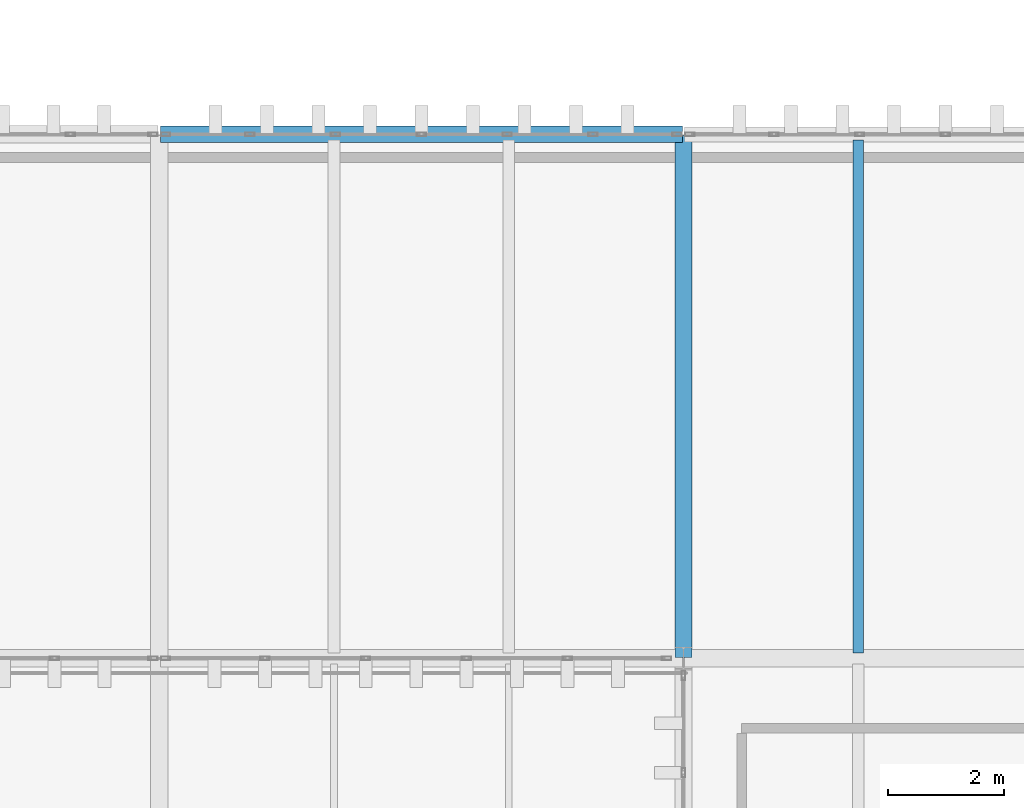
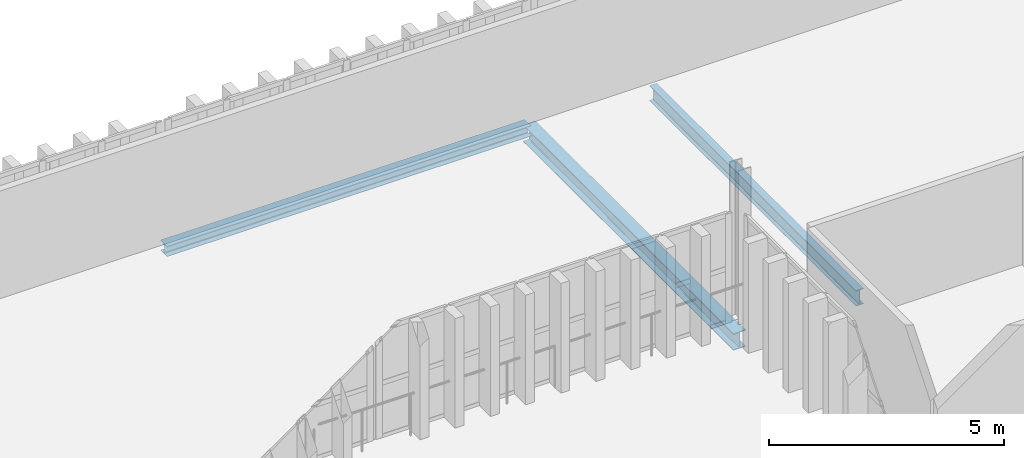
# One storey, part 43 of 102: 3 beams.
"""IFC4 building model written with IfcOpenShell, lengths in metres."""

import ifcopenshell
import ifcopenshell.guid

model = None  # the IFC model being written
_history = None  # IfcOwnerHistory: only IFC2X3 demands one
_inside = {}  # id of a spatial element -> (the spatial element, [elements in it])
_under = {}  # id of a project, library or spatial element -> (it, [spatial elements below it])
_declared = {}  # id of a project -> (the project, [libraries it declares])
_typed = {}  # id of a type object -> (the type object, [elements of that type])
_made_of = {}  # id of a material, layer set ... -> (it, [elements and type objects made of it])


def new_model(schema):
    """Start an empty IFC model of exactly this schema.

    Asked for "IFC4X3", IfcOpenShell would pick the latest addendum, in which some entities
    have other attributes; the version numbers below select the first issue.
    IFC2X3 requires an IfcOwnerHistory on every rooted entity: one is made here for all.
    """
    global model, _history
    if schema == "IFC4X3":
        model = ifcopenshell.file(schema_version=(4, 3, 0, 0))
    else:
        model = ifcopenshell.file(schema=schema)
    _inside.clear()
    _under.clear()
    _declared.clear()
    _typed.clear()
    _made_of.clear()
    _history = None
    if model.schema == "IFC2X3":
        org = make("IfcOrganization", Name="unknown")
        user = make(
            "IfcPersonAndOrganization",
            ThePerson=make("IfcPerson", FamilyName="unknown"),
            TheOrganization=org,
        )
        app = make(
            "IfcApplication",
            ApplicationDeveloper=org,
            Version="unknown",
            ApplicationFullName="unknown",
            ApplicationIdentifier="unknown",
        )
        _history = make(
            "IfcOwnerHistory",
            OwningUser=user,
            OwningApplication=app,
            ChangeAction="ADDED",
            CreationDate=0,
        )
    return model


def make(cls, **values):
    """One entity of the class cls with the attributes given. An attribute that is None is left unset."""
    return model.create_entity(
        cls, **{name: value for name, value in values.items() if value is not None}
    )


def rooted(cls, **values):
    """An entity with a GlobalId (a new one), such as an element, a storey or a relation."""
    return make(cls, GlobalId=ifcopenshell.guid.new(), OwnerHistory=_history, **values)


def si_unit(unit_type, name, prefix=None):
    """IfcSIUnit, for example si_unit("LENGTHUNIT", "METRE", prefix="MILLI")."""
    return make("IfcSIUnit", UnitType=unit_type, Prefix=prefix, Name=name)


def assignment(units):
    """IfcUnitAssignment: the units of a project."""
    return None if units is None else make("IfcUnitAssignment", Units=units)


def point(xyz):
    """IfcCartesianPoint."""
    return None if xyz is None else make("IfcCartesianPoint", Coordinates=xyz)


def direction(xyz):
    """IfcDirection."""
    return None if xyz is None else make("IfcDirection", DirectionRatios=xyz)


def frame(location, z_axis=None, x_axis=None):
    """IfcAxis2Placement3D, a coordinate frame: its origin and axes. An axis left out is left unset."""
    return make(
        "IfcAxis2Placement3D",
        Location=point(location),
        Axis=direction(z_axis),
        RefDirection=direction(x_axis),
    )


def frame_2d(location, x_axis=None):
    """IfcAxis2Placement2D, a coordinate frame in the plane: its origin and x axis."""
    return make(
        "IfcAxis2Placement2D", Location=point(location), RefDirection=direction(x_axis)
    )


def origin():
    """The frame at (0, 0, 0) with its axes left unset."""
    return frame((0.0, 0.0, 0.0))


def origin_2d():
    """The frame at (0, 0) in the plane with its x axis left unset."""
    return frame_2d((0.0, 0.0))


def place(relative_to, where):
    """IfcLocalPlacement: puts the frame where relative to a parent placement (None: the world)."""
    return make(
        "IfcLocalPlacement", PlacementRelTo=relative_to, RelativePlacement=where
    )


def context(
    kind, dimensions, precision=None, world=None, true_north=None, identifier=None
):
    """IfcGeometricRepresentationContext, for example the 3D "Model" context."""
    return make(
        "IfcGeometricRepresentationContext",
        ContextIdentifier=identifier,
        ContextType=kind,
        CoordinateSpaceDimension=dimensions,
        Precision=precision,
        WorldCoordinateSystem=world,
        TrueNorth=true_north,
    )


def subcontext(parent, identifier, kind, view, scale=None):
    """IfcGeometricRepresentationSubContext, for example "Body" below "Model"."""
    return make(
        "IfcGeometricRepresentationSubContext",
        ContextIdentifier=identifier,
        ContextType=kind,
        ParentContext=parent,
        TargetScale=scale,
        TargetView=view,
    )


def project(units=None, contexts=None):
    """IfcProject with its units and contexts."""
    return rooted(
        "IfcProject",
        Name="project",
        RepresentationContexts=contexts,
        UnitsInContext=assignment(units),
    )


def spatial(cls, under=None, at=None, **own):
    """A site, building, storey or space (cls), placed at a placement, below another one or the project."""
    s = rooted(cls, ObjectPlacement=at, **own)
    if under is not None:
        _under.setdefault(under.id(), (under, []))[1].append(s)
    return s


def profile(cls, at=None, kind="AREA", **sizes):
    """A parametric profile (cls). Its sizes go by their IFC names, for example OverallWidth=200.0."""
    return make(cls, ProfileType=kind, Position=at, **sizes)


def i_section(**sizes):
    """IfcIShapeProfileDef."""
    return profile("IfcIShapeProfileDef", **sizes)


def extrude(swept, where, along, depth):
    """IfcExtrudedAreaSolid: the profile swept, set in the frame where, extruded along a direction by depth."""
    return make(
        "IfcExtrudedAreaSolid",
        SweptArea=swept,
        Position=where,
        ExtrudedDirection=direction(along),
        Depth=depth,
    )


def shape(context_of_items, identifier, shape_type, items):
    """IfcShapeRepresentation: the items that make up one representation, for example the "Body"."""
    return make(
        "IfcShapeRepresentation",
        ContextOfItems=context_of_items,
        RepresentationIdentifier=identifier,
        RepresentationType=shape_type,
        Items=items,
    )


def material(Name=None, Category=None):
    """IfcMaterial."""
    return make("IfcMaterial", Name=Name, Category=Category)


def material_profile(
    of_material, cross_section, Name=None, Category=None, Priority=None
):
    """IfcMaterialProfile: a cross section and its material."""
    return make(
        "IfcMaterialProfile",
        Name=Name,
        Material=of_material,
        Profile=cross_section,
        Priority=Priority,
        Category=Category,
    )


def profile_set(profiles, Name=None, composite=None):
    """IfcMaterialProfileSet."""
    return make(
        "IfcMaterialProfileSet",
        Name=Name,
        MaterialProfiles=profiles,
        CompositeProfile=composite,
    )


def made_of(thing, what):
    """Note that an element or type object is made of a material, layer set ...; save() writes the relation."""
    if what is not None:
        _made_of.setdefault(what.id(), (what, []))[1].append(thing)
    return thing


def type_object(cls, material=None, **own):
    """A type object (cls), such as IfcWallType, which elements share."""
    return made_of(rooted(cls, **own), material)


def element(
    cls,
    number,
    at=None,
    inside=None,
    cuts=None,
    type_object=None,
    material=None,
    context=None,
    identifier="Body",
    shape_type=None,
    held_by="IfcProductDefinitionShape",
    body=None,
    shapes=None,
    **own,
):
    """One element of the class cls, such as IfcWall. Its Tag is "e" and its number.

    at: its placement. inside: the storey or other place that contains it. cuts: it is an
    opening in that element (IfcRelVoidsElement). A single representation is given by context,
    identifier, shape_type and body (its items); several are given by shapes. held_by: the class
    of the entity that holds the representations. save() writes the other relations.
    """
    e = rooted(cls, Tag="e%d" % number, ObjectPlacement=at, **own)
    if body is not None:
        shapes = [shape(context, identifier, shape_type, body)]
    if shapes is not None:
        e.Representation = make(held_by, Representations=shapes)
    if inside is not None:
        _inside.setdefault(inside.id(), (inside, []))[1].append(e)
    if cuts is not None:
        rooted(
            "IfcRelVoidsElement", RelatingBuildingElement=cuts, RelatedOpeningElement=e
        )
    if type_object is not None:
        _typed.setdefault(type_object.id(), (type_object, []))[1].append(e)
    return made_of(e, material)


def aggregate(whole, parts):
    """IfcRelAggregates: a whole, such as a stair, and the parts it consists of."""
    return rooted("IfcRelAggregates", RelatingObject=whole, RelatedObjects=parts)


def save(model, path):
    """Write the relations noted so far, then the file.

    IfcRelAggregates (storeys below a building ...), IfcRelContainedInSpatialStructure (elements
    in a storey), IfcRelDefinesByType, IfcRelAssociatesMaterial and IfcRelDeclares: one each for
    every whole, place, type object, material and project.
    """
    for whole, parts in _under.values():
        aggregate(whole, parts)
    for where, things in _inside.values():
        rooted(
            "IfcRelContainedInSpatialStructure",
            RelatedElements=things,
            RelatingStructure=where,
        )
    for kind, things in _typed.values():
        rooted("IfcRelDefinesByType", RelatedObjects=things, RelatingType=kind)
    for what, things in _made_of.values():
        rooted("IfcRelAssociatesMaterial", RelatedObjects=things, RelatingMaterial=what)
    for by, libraries in _declared.values():
        rooted("IfcRelDeclares", RelatingContext=by, RelatedDefinitions=libraries)
    model.write(path)


model = new_model("IFC4")

# Units and contexts
model_context = context("Model", 3, precision=1e-05, world=origin(), true_north=direction((0.0, 1.0)))
body_context = subcontext(model_context, "Body", "Model", "MODEL_VIEW")
ifc_project = project(units=[si_unit("LENGTHUNIT", "METRE"), si_unit("AREAUNIT", "SQUARE_METRE"), si_unit("VOLUMEUNIT", "CUBIC_METRE"), si_unit("PLANEANGLEUNIT", "RADIAN"), si_unit("MASSUNIT", "GRAM", prefix="KILO")], contexts=[model_context])

# Site, building, storey
site_placement = place(None, origin())
site = spatial("IfcSite", under=ifc_project, at=site_placement, CompositionType="ELEMENT")
building_placement = place(site_placement, origin())
building = spatial("IfcBuilding", under=site, at=building_placement, Name="Barlavento Convention Centre", CompositionType="ELEMENT")
storey_placement = place(building_placement, frame((0.0, 0.0, 22.800048828125)))
storey = spatial("IfcBuildingStorey", under=building, at=storey_placement, Name="L04", CompositionType="ELEMENT", Elevation=22.800048828125)

# Beams
ifc_material = material(Name="Steel S355", Category="steel")
ifc_material_profile_1 = material_profile(ifc_material, i_section(OverallWidth=0.179931640625, OverallDepth=0.39990234375, WebThickness=0.008544921875, FlangeThickness=0.013427734375, FilletRadius=0.02099609375, at=origin_2d()), Name="IPE 400")
ifc_profile_set_1 = profile_set([ifc_material_profile_1], Name="Steel S355")
beam_type_1 = type_object("IfcBeamType", Name="STR-BM-JST-IPE400", PredefinedType="JOIST", material=ifc_profile_set_1)
beam_1_placement = place(storey_placement, frame((156.0, 54.094970703125, -0.56005859375), z_axis=(0.0, 1.0, 0.0), x_axis=(-1.0, 0.0, 0.0)))
element("IfcBeam", 1, at=beam_1_placement, inside=storey, type_object=beam_type_1, Name="L04 composite floor joist SJ04", PredefinedType="JOIST", context=body_context, shape_type="SweptSolid", body=[
    extrude(i_section(OverallWidth=0.179931640625, OverallDepth=0.39990234375, WebThickness=0.008544921875, FlangeThickness=0.013427734375, FilletRadius=0.02099609375, at=origin_2d()), origin(), (0.0, 0.0, 1.0), 8.81005859375),
])
ifc_material_profile_2 = material_profile(ifc_material, i_section(OverallWidth=0.300048828125, OverallDepth=0.43994140625, WebThickness=0.011474609375, FlangeThickness=0.02099609375, FilletRadius=0.027099609375, at=origin_2d()), Name="HEA 450")
ifc_profile_set_2 = profile_set([ifc_material_profile_2], Name="Steel S355")
beam_type_2 = type_object("IfcBeamType", Name="STR-BM-PRI-HEA450", PredefinedType="BEAM", material=ifc_profile_set_2)
beam_2_placement = place(storey_placement, frame((153.0, 54.02001953125, -0.580078125), z_axis=(0.0, 1.0, 0.0), x_axis=(-1.0, 0.0, 0.0)))
element("IfcBeam", 2, at=beam_2_placement, inside=storey, type_object=beam_type_2, Name="L04 grid girder BG21", PredefinedType="BEAM", context=body_context, shape_type="SweptSolid", body=[
    extrude(i_section(OverallWidth=0.300048828125, OverallDepth=0.43994140625, WebThickness=0.011474609375, FlangeThickness=0.02099609375, FilletRadius=0.027099609375, at=origin_2d()), origin(), (0.0, 0.0, 1.0), 8.9599609375),
])
ifc_material_profile_3 = material_profile(ifc_material, i_section(OverallWidth=0.280029296875, OverallDepth=0.27001953125, WebThickness=0.008056640625, FlangeThickness=0.012939453125, FilletRadius=0.02392578125, at=origin_2d()), Name="HEA 280")
ifc_profile_set_3 = profile_set([ifc_material_profile_3], Name="Steel S355")
beam_type_3 = type_object("IfcBeamType", Name="STR-BM-SPN-HEA280", PredefinedType="SPANDREL", material=ifc_profile_set_3)
beam_3_placement = place(storey_placement, frame((144.02001953125, 63.0, -0.4951171875), z_axis=(1.0, 0.0, 0.0), x_axis=(0.0, 1.0, 0.0)))
element("IfcBeam", 3, at=beam_3_placement, inside=storey, type_object=beam_type_3, Name="L04 primary girder SP03", PredefinedType="SPANDREL", context=body_context, shape_type="SweptSolid", body=[
    extrude(i_section(OverallWidth=0.280029296875, OverallDepth=0.27001953125, WebThickness=0.008056640625, FlangeThickness=0.012939453125, FilletRadius=0.02392578125, at=origin_2d()), origin(), (0.0, 0.0, 1.0), 8.9599609375),
])

save(model, "model.ifc")
